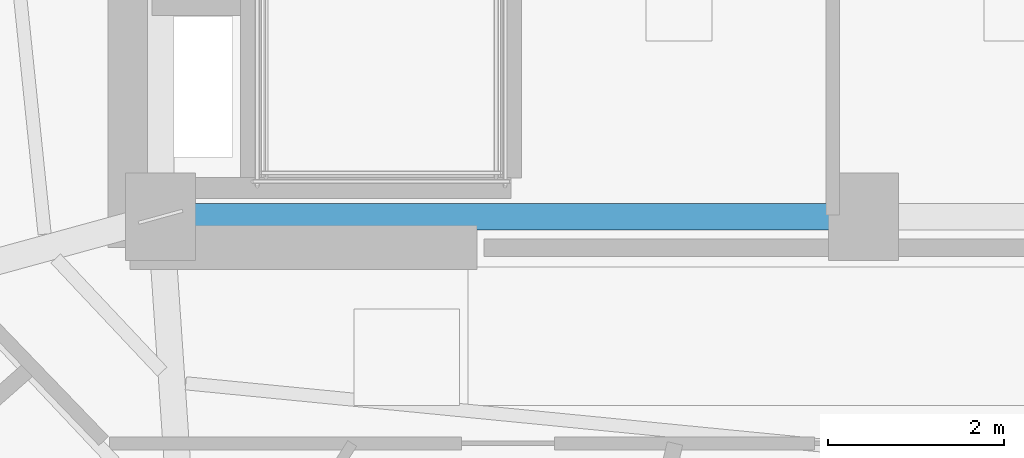
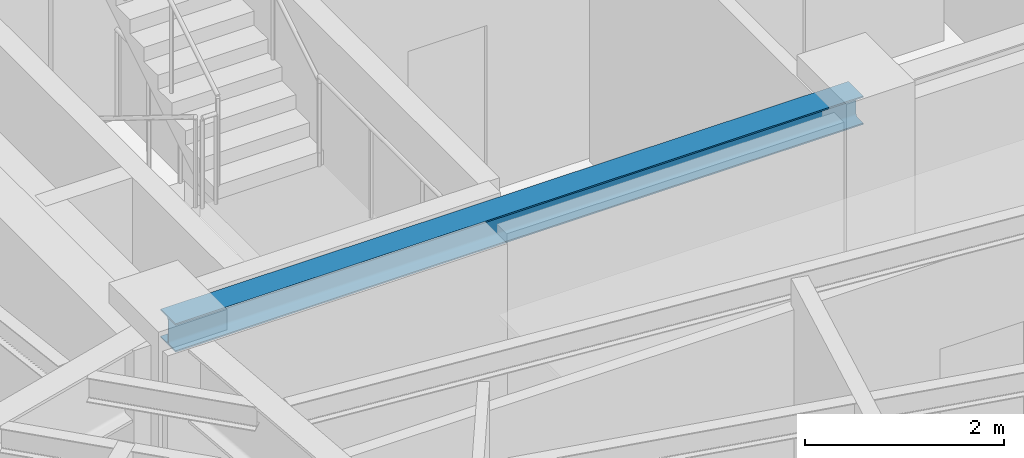
# One storey, part 3 of 16: 1 beam.
"""IFC4 building model written with IfcOpenShell, lengths in metres."""

from ifc_helpers import new_model, si_unit, direction, frame, origin, origin_2d, place, context, subcontext, project, spatial, i_section, extrude, material, material_profile, profile_set, type_object, element, save


model = new_model("IFC4")

# Units and contexts
model_context = context("Model", 3, precision=1e-05, world=origin(), true_north=direction((0.0, 1.0)))
body_context = subcontext(model_context, "Body", "Model", "MODEL_VIEW")
ifc_project = project(units=[si_unit("LENGTHUNIT", "METRE"), si_unit("AREAUNIT", "SQUARE_METRE"), si_unit("VOLUMEUNIT", "CUBIC_METRE"), si_unit("PLANEANGLEUNIT", "RADIAN"), si_unit("MASSUNIT", "GRAM", prefix="KILO")], contexts=[model_context])

# Site, building, storey
site_placement = place(None, origin())
site = spatial("IfcSite", under=ifc_project, at=site_placement, CompositionType="ELEMENT")
building_placement = place(site_placement, origin())
building = spatial("IfcBuilding", under=site, at=building_placement, Name="Ndelora Gate Hotel", CompositionType="ELEMENT")
storey_placement = place(building_placement, frame((0.0, 0.0, 182.75)))
storey = spatial("IfcBuildingStorey", under=building, at=storey_placement, Name="L45", CompositionType="ELEMENT", Elevation=182.75)

# Beam
ifc_material = material(Name="Steel S355", Category="steel")
ifc_material_profile = material_profile(ifc_material, i_section(OverallWidth=0.300048828125, OverallDepth=0.35009765625, WebThickness=0.010009765625, FlangeThickness=0.017578125, FilletRadius=0.027099609375, at=origin_2d()), Name="HEA 360")
ifc_profile_set = profile_set([ifc_material_profile], Name="Steel S355")
beam_type = type_object("IfcBeamType", Name="BM-CORE-350", PredefinedType="BEAM", material=ifc_profile_set)
beam_placement = place(storey_placement, frame((-8.0, -6.60009765625, 3.375), z_axis=(1.0, 0.0, 0.0), x_axis=(0.0, 1.0, 0.0)))
element("IfcBeam", 1, at=beam_placement, inside=storey, type_object=beam_type, Name="L45 Core Tie Girder CC1-CC2", PredefinedType="BEAM", context=body_context, shape_type="SweptSolid", body=[
    extrude(i_section(OverallWidth=0.300048828125, OverallDepth=0.35009765625, WebThickness=0.010009765625, FlangeThickness=0.017578125, FilletRadius=0.027099609375, at=origin_2d()), origin(), (0.0, 0.0, 1.0), 8.0),
])

save(model, "model.ifc")
